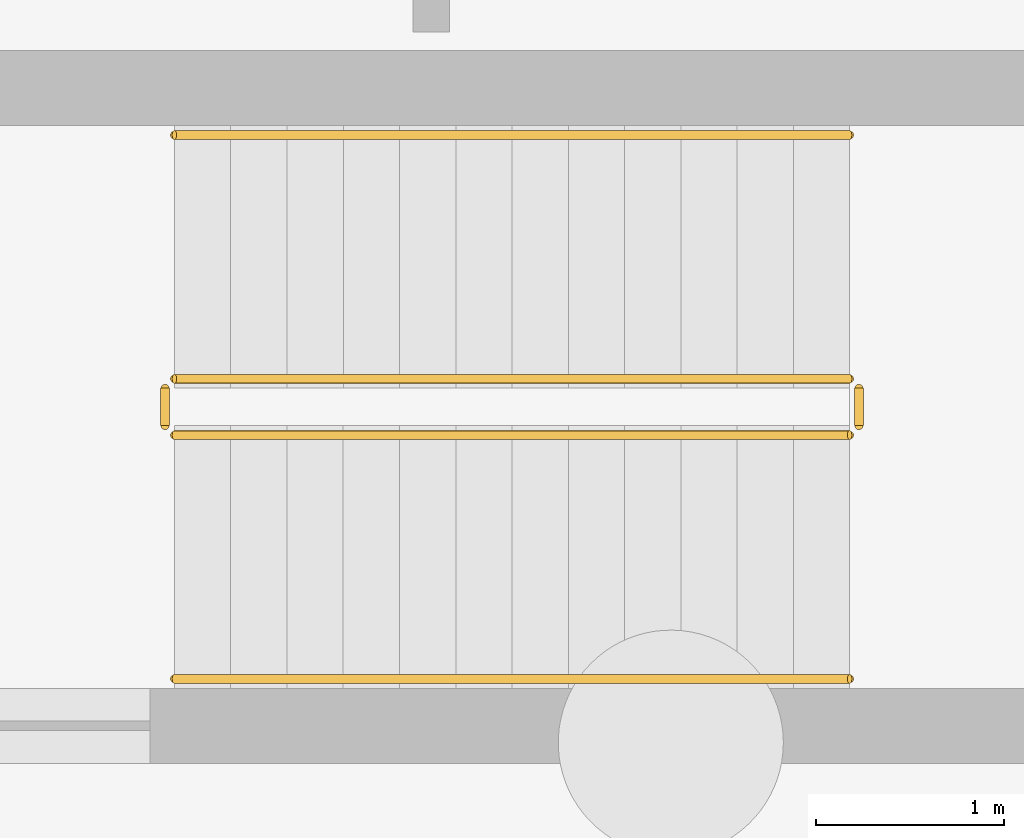
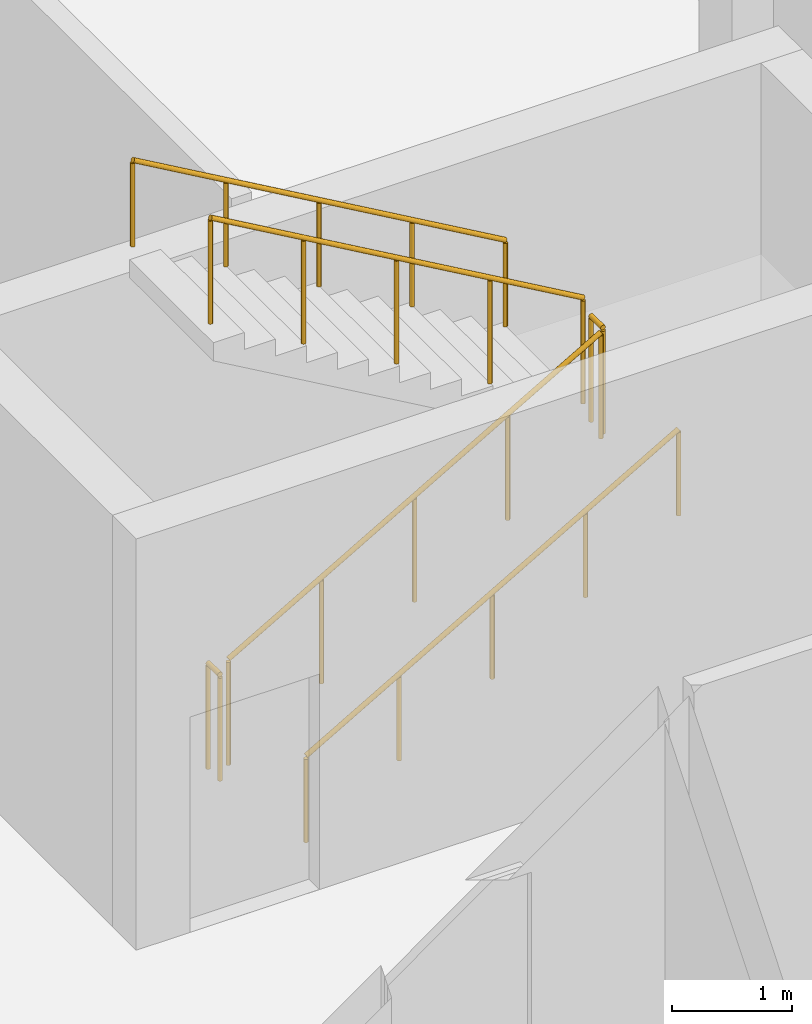
# One storey, part 13 of 14: 6 railings.
"""IFC4 building model written with IfcOpenShell, lengths in metres."""

from ifc_helpers import new_model, si_unit, direction, frame, origin, origin_2d, place, context, subcontext, project, spatial, circle, extrude, material, type_object, element, save


model = new_model("IFC4")

# Units and contexts
model_context = context("Model", 3, precision=1e-05, world=origin(), true_north=direction((0.0, 1.0)))
body_context = subcontext(model_context, "Body", "Model", "MODEL_VIEW")
ifc_project = project(units=[si_unit("LENGTHUNIT", "METRE"), si_unit("AREAUNIT", "SQUARE_METRE"), si_unit("VOLUMEUNIT", "CUBIC_METRE"), si_unit("PLANEANGLEUNIT", "RADIAN"), si_unit("MASSUNIT", "GRAM", prefix="KILO")], contexts=[model_context])

# Site, building, storey
site_placement = place(None, origin())
site = spatial("IfcSite", under=ifc_project, at=site_placement, CompositionType="ELEMENT")
building_placement = place(site_placement, origin())
building = spatial("IfcBuilding", under=site, at=building_placement, Name="Birchvale Park Specialist Clinic", CompositionType="ELEMENT")
storey_placement = place(building_placement, frame((0.0, 0.0, -4.5)))
storey = spatial("IfcBuildingStorey", under=building, at=storey_placement, Name="B1", CompositionType="ELEMENT", Elevation=-4.5)

# Railings
ifc_material_1 = material(Name="Brushed stainless steel guard railing", Category="steel")
railing_type_1 = type_object("IfcRailingType", Name="RL-GRD1", PredefinedType="GUARDRAIL", material=ifc_material_1)
railing_1_placement = place(storey_placement, frame((139.5, 31.14990234375, 0.173095703125)))
element("IfcRailing", 1, at=railing_1_placement, inside=storey, type_object=railing_type_1, Name="B1 ST6 stair guard 1", PredefinedType="GUARDRAIL", context=body_context, shape_type="SweptSolid", body=[
    extrude(circle(Radius=0.02392578125, at=origin_2d()), frame((0.0, 0.0, 1.076171875), z_axis=(0.866193409371, 0.0, 0.499708892819), x_axis=(0.0, 1.0, 0.0)), (0.0, 0.0, 1.0), 4.15625),
    extrude(circle(Radius=0.02099609375, at=origin_2d()), origin(), (0.0, 0.0, 1.0), 1.052001953125),
    extrude(circle(Radius=0.02099609375, at=origin_2d()), frame((0.89990234375, 0.0, 0.519287109375)), (0.0, 0.0, 1.0), 1.052001953125),
    extrude(circle(Radius=0.02099609375, at=origin_2d()), frame((1.800048828125, 0.0, 1.03857421875)), (0.0, 0.0, 1.0), 1.052001953125),
    extrude(circle(Radius=0.02099609375, at=origin_2d()), frame((2.7001953125, 0.0, 1.5576171875)), (0.0, 0.0, 1.0), 1.052001953125),
    extrude(circle(Radius=0.02099609375, at=origin_2d()), frame((3.60009765625, 0.0, 2.076904296875)), (0.0, 0.0, 1.0), 1.052001953125),
])
railing_2_placement = place(storey_placement, frame((143.14990234375, 31.199951171875, 2.25)))
element("IfcRailing", 2, at=railing_2_placement, inside=storey, type_object=railing_type_1, Name="B1 ST6 stair guard 2", PredefinedType="GUARDRAIL", context=body_context, shape_type="SweptSolid", body=[
    extrude(circle(Radius=0.02392578125, at=origin_2d()), frame((0.0, 0.0, 1.076171875), z_axis=(0.0, 1.0, 0.0), x_axis=(-1.0, 0.0, 0.0)), (0.0, 0.0, 1.0), 0.199951171875),
    extrude(circle(Radius=0.02099609375, at=origin_2d()), origin(), (0.0, 0.0, 1.0), 1.052001953125),
    extrude(circle(Radius=0.02099609375, at=origin_2d()), frame((0.0, 0.199951171875, 0.0)), (0.0, 0.0, 1.0), 1.052001953125),
])
railing_3_placement = place(storey_placement, frame((143.10009765625, 31.449951171875, 2.423095703125)))
element("IfcRailing", 3, at=railing_3_placement, inside=storey, type_object=railing_type_1, Name="B1 ST6 stair guard 3", PredefinedType="GUARDRAIL", context=body_context, shape_type="SweptSolid", body=[
    extrude(circle(Radius=0.02392578125, at=origin_2d()), frame((0.0, 0.0, 1.076171875), z_axis=(-0.866193409371, 0.0, 0.499708892819), x_axis=(0.0, -1.0, 0.0)), (0.0, 0.0, 1.0), 4.15625),
    extrude(circle(Radius=0.02099609375, at=origin_2d()), origin(), (0.0, 0.0, 1.0), 1.052001953125),
    extrude(circle(Radius=0.02099609375, at=origin_2d()), frame((-0.89990234375, 0.0, 0.519287109375)), (0.0, 0.0, 1.0), 1.052001953125),
    extrude(circle(Radius=0.02099609375, at=origin_2d()), frame((-1.800048828125, 0.0, 1.03857421875)), (0.0, 0.0, 1.0), 1.052001953125),
    extrude(circle(Radius=0.02099609375, at=origin_2d()), frame((-2.7001953125, 0.0, 1.5576171875)), (0.0, 0.0, 1.0), 1.052001953125),
    extrude(circle(Radius=0.02099609375, at=origin_2d()), frame((-3.60009765625, 0.0, 2.076904296875)), (0.0, 0.0, 1.0), 1.052001953125),
])
railing_4_placement = place(storey_placement, frame((139.449951171875, 31.199951171875, 0.0)))
element("IfcRailing", 4, at=railing_4_placement, inside=storey, type_object=railing_type_1, Name="B1 ST6 stair guard 4", PredefinedType="GUARDRAIL", context=body_context, shape_type="SweptSolid", body=[
    extrude(circle(Radius=0.02392578125, at=origin_2d()), frame((0.0, 0.0, 1.076171875), z_axis=(0.0, 1.0, 0.0), x_axis=(-1.0, 0.0, 0.0)), (0.0, 0.0, 1.0), 0.199951171875),
    extrude(circle(Radius=0.02099609375, at=origin_2d()), origin(), (0.0, 0.0, 1.0), 1.052001953125),
    extrude(circle(Radius=0.02099609375, at=origin_2d()), frame((0.0, 0.199951171875, 0.0)), (0.0, 0.0, 1.0), 1.052001953125),
])
ifc_material_2 = material(Name="Anodised aluminium handrail", Category="aluminium")
railing_type_2 = type_object("IfcRailingType", Name="RL-HND1", PredefinedType="HANDRAIL", material=ifc_material_2)
railing_5_placement = place(storey_placement, frame((139.5, 29.85009765625, 0.173095703125)))
element("IfcRailing", 5, at=railing_5_placement, inside=storey, type_object=railing_type_2, Name="B1 ST6 stair handrail 1", PredefinedType="HANDRAIL", context=body_context, shape_type="SweptSolid", body=[
    extrude(circle(Radius=0.02392578125, at=origin_2d()), frame((0.0, 0.0, 0.8759765625), z_axis=(0.866193409371, 0.0, 0.499708892819), x_axis=(0.0, 1.0, 0.0)), (0.0, 0.0, 1.0), 4.15625),
    extrude(circle(Radius=0.02099609375, at=origin_2d()), origin(), (0.0, 0.0, 1.0), 0.851806640625),
    extrude(circle(Radius=0.02099609375, at=origin_2d()), frame((0.89990234375, 0.0, 0.519287109375)), (0.0, 0.0, 1.0), 0.851806640625),
    extrude(circle(Radius=0.02099609375, at=origin_2d()), frame((1.800048828125, 0.0, 1.03857421875)), (0.0, 0.0, 1.0), 0.851806640625),
    extrude(circle(Radius=0.02099609375, at=origin_2d()), frame((2.7001953125, 0.0, 1.5576171875)), (0.0, 0.0, 1.0), 0.851806640625),
    extrude(circle(Radius=0.02099609375, at=origin_2d()), frame((3.60009765625, 0.0, 2.076904296875)), (0.0, 0.0, 1.0), 0.851806640625),
])
railing_6_placement = place(storey_placement, frame((143.10009765625, 32.75, 2.423095703125)))
element("IfcRailing", 6, at=railing_6_placement, inside=storey, type_object=railing_type_2, Name="B1 ST6 stair handrail 2", PredefinedType="HANDRAIL", context=body_context, shape_type="SweptSolid", body=[
    extrude(circle(Radius=0.02392578125, at=origin_2d()), frame((0.0, 0.0, 0.8759765625), z_axis=(-0.866193409371, 0.0, 0.499708892819), x_axis=(0.0, -1.0, 0.0)), (0.0, 0.0, 1.0), 4.15625),
    extrude(circle(Radius=0.02099609375, at=origin_2d()), origin(), (0.0, 0.0, 1.0), 0.851806640625),
    extrude(circle(Radius=0.02099609375, at=origin_2d()), frame((-0.89990234375, 0.0, 0.519287109375)), (0.0, 0.0, 1.0), 0.851806640625),
    extrude(circle(Radius=0.02099609375, at=origin_2d()), frame((-1.800048828125, 0.0, 1.03857421875)), (0.0, 0.0, 1.0), 0.851806640625),
    extrude(circle(Radius=0.02099609375, at=origin_2d()), frame((-2.7001953125, 0.0, 1.5576171875)), (0.0, 0.0, 1.0), 0.851806640625),
    extrude(circle(Radius=0.02099609375, at=origin_2d()), frame((-3.60009765625, 0.0, 2.076904296875)), (0.0, 0.0, 1.0), 0.851806640625),
])

save(model, "model.ifc")
